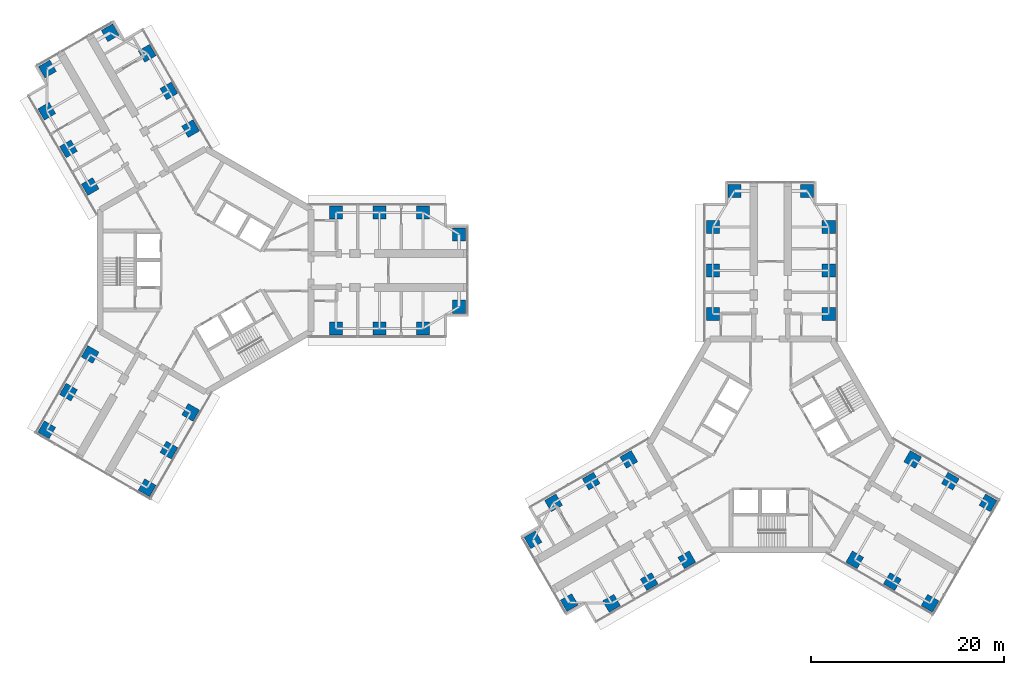
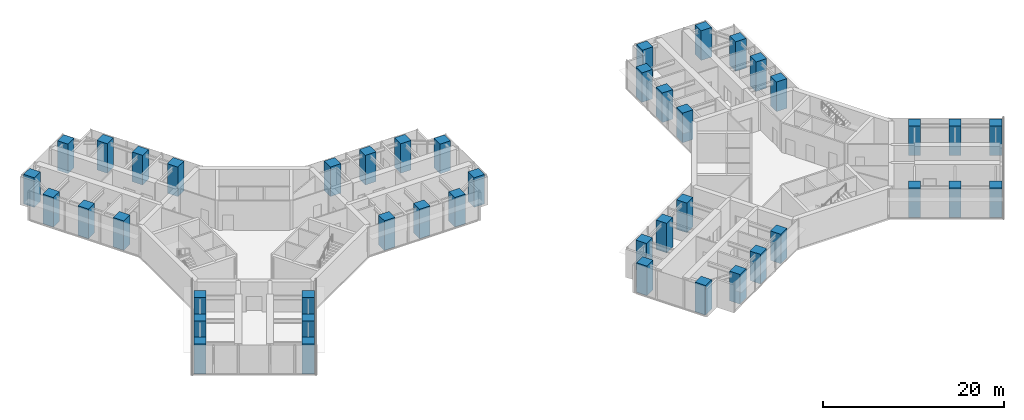
# One storey, part 1 of 21: 44 columns.
"""IFC4 building model written with IfcOpenShell, lengths in metres."""

from ifc_helpers import new_model, si_unit, direction, frame, origin, origin_2d, place, context, subcontext, project, spatial, rectangle, extrude, material, material_profile, profile_set, type_object, element, save


model = new_model("IFC4")

# Units and contexts
model_context = context("Model", 3, precision=1e-05, world=origin(), true_north=direction((0.0, 1.0)))
body_context = subcontext(model_context, "Body", "Model", "MODEL_VIEW")
ifc_project = project(units=[si_unit("LENGTHUNIT", "METRE"), si_unit("AREAUNIT", "SQUARE_METRE"), si_unit("VOLUMEUNIT", "CUBIC_METRE"), si_unit("PLANEANGLEUNIT", "RADIAN"), si_unit("MASSUNIT", "GRAM", prefix="KILO")], contexts=[model_context])

# Site, building, storey
site_placement = place(None, origin())
site = spatial("IfcSite", under=ifc_project, at=site_placement, CompositionType="ELEMENT")
building_placement = place(site_placement, origin())
building = spatial("IfcBuilding", under=site, at=building_placement, Name="Upepo Twin Towers", CompositionType="ELEMENT")
storey_placement = place(building_placement, frame((0.0, 0.0, 113.5)))
storey = spatial("IfcBuildingStorey", under=building, at=storey_placement, Name="L27", CompositionType="ELEMENT", Elevation=113.5)

# Columns
ifc_material = material(Name="Concrete C60/75", Category="concrete")
ifc_material_profile = material_profile(ifc_material, rectangle(XDim=1.35009765625, YDim=1.35009765625, at=origin_2d()), Name="RC 1350x1350")
ifc_profile_set = profile_set([ifc_material_profile], Name="Concrete C60/75")
column_type = type_object("IfcColumnType", Name="Tower column RC 1350x1350", PredefinedType="COLUMN", material=ifc_profile_set)
for number, where, z_axis, x_axis, name in (
    (1, (13.5, 6.0, 0.0), (0.0, 0.0, 1.0), (1.0, 0.0, 0.0), "T1 column AL135"),
    (2, (13.5, -6.0, 0.0), (0.0, 0.0, 1.0), (1.0, 0.0, 0.0), "T1 column AR135"),
    (3, (18.0, 6.0, 0.0), (0.0, 0.0, 1.0), (1.0, 0.0, 0.0), "T1 column AL180"),
    (4, (18.0, -6.0, 0.0), (0.0, 0.0, 1.0), (1.0, 0.0, 0.0), "T1 column AR180"),
    (5, (22.5, 6.0, 0.0), (0.0, 0.0, 1.0), (1.0, 0.0, 0.0), "T1 column AL225"),
    (6, (22.5, -6.0, 0.0), (0.0, 0.0, 1.0), (1.0, 0.0, 0.0), "T1 column AR225"),
    (7, (26.25, 3.75, 0.0), (0.0, 0.0, 1.0), (1.0, 0.0, 0.0), "T1 column ALN"),
    (8, (26.25, -3.75, 0.0), (0.0, 0.0, 1.0), (1.0, 0.0, 0.0), "T1 column ARN"),
    (9, (-11.946044921875, 8.69140625, 0.0), (0.0, 0.0, 1.0), (0.866025403784, 0.5, 0.0), "T1 column BL135"),
    (10, (-1.553955078125, 14.69140625, 0.0), (0.0, 0.0, 1.0), (0.866025403784, 0.5, 0.0), "T1 column BR135"),
    (11, (-14.196044921875, 12.58837890625, 0.0), (0.0, 0.0, 1.0), (0.866025403784, 0.5, 0.0), "T1 column BL180"),
    (12, (-3.803955078125, 18.58837890625, 0.0), (0.0, 0.0, 1.0), (0.866025403784, 0.5, 0.0), "T1 column BR180"),
    (13, (-16.446044921875, 16.485595703125, 0.0), (0.0, 0.0, 1.0), (0.866025403784, 0.5, 0.0), "T1 column BL225"),
    (14, (-6.053955078125, 22.485595703125, 0.0), (0.0, 0.0, 1.0), (0.866025403784, 0.5, 0.0), "T1 column BR225"),
    (15, (-16.37255859375, 20.858154296875, 0.0), (0.0, 0.0, 1.0), (0.866025403784, 0.5, 0.0), "T1 column BLN"),
    (16, (-9.87744140625, 24.608154296875, 0.0), (0.0, 0.0, 1.0), (0.866025403784, 0.5, 0.0), "T1 column BRN"),
    (17, (-1.553955078125, -14.69140625, 0.0), (0.0, 0.0, 1.0), (0.5, 0.866025403784, 0.0), "T1 column CL135"),
    (18, (-11.946044921875, -8.69140625, 0.0), (0.0, 0.0, 1.0), (0.5, 0.866025403784, 0.0), "T1 column CR135"),
    (19, (-3.803955078125, -18.58837890625, 0.0), (0.0, 0.0, 1.0), (0.5, 0.866025403784, 0.0), "T1 column CL180"),
    (20, (-14.196044921875, -12.58837890625, 0.0), (0.0, 0.0, 1.0), (0.5, 0.866025403784, 0.0), "T1 column CR180"),
    (21, (-6.053955078125, -22.485595703125, 0.0), (0.0, 0.0, 1.0), (0.5, 0.866025403784, 0.0), "T1 column CL225"),
    (22, (-16.446044921875, -16.485595703125, 0.0), (0.0, 0.0, 1.0), (0.5, 0.866025403784, 0.0), "T1 column CR225"),
    (23, (52.5, -4.5, 0.0), (0.0, 0.0, 1.0), (1.0, 0.0, 0.0), "T2 column AL135"),
    (24, (64.5, -4.5, 0.0), (0.0, 0.0, 1.0), (1.0, 0.0, 0.0), "T2 column AR135"),
    (25, (52.5, 0.0, 0.0), (0.0, 0.0, 1.0), (1.0, 0.0, 0.0), "T2 column AL180"),
    (26, (64.5, 0.0, 0.0), (0.0, 0.0, 1.0), (1.0, 0.0, 0.0), "T2 column AR180"),
    (27, (52.5, 4.5, 0.0), (0.0, 0.0, 1.0), (1.0, 0.0, 0.0), "T2 column AL225"),
    (28, (64.5, 4.5, 0.0), (0.0, 0.0, 1.0), (1.0, 0.0, 0.0), "T2 column AR225"),
    (29, (54.75, 8.25, 0.0), (0.0, 0.0, 1.0), (1.0, 0.0, 0.0), "T2 column ALN"),
    (30, (62.25, 8.25, 0.0), (0.0, 0.0, 1.0), (1.0, 0.0, 0.0), "T2 column ARN"),
    (31, (49.80859375, -29.946044921875, 0.0), (0.0, 0.0, 1.0), (0.866025403784, 0.5, 0.0), "T2 column BL135"),
    (32, (43.80859375, -19.553955078125, 0.0), (0.0, 0.0, 1.0), (0.866025403784, 0.5, 0.0), "T2 column BR135"),
    (33, (45.91162109375, -32.196044921875, 0.0), (0.0, 0.0, 1.0), (0.866025403784, 0.5, 0.0), "T2 column BL180"),
    (34, (39.91162109375, -21.803955078125, 0.0), (0.0, 0.0, 1.0), (0.866025403784, 0.5, 0.0), "T2 column BR180"),
    (35, (42.014404296875, -34.446044921875, 0.0), (0.0, 0.0, 1.0), (0.866025403784, 0.5, 0.0), "T2 column BL225"),
    (36, (36.014404296875, -24.053955078125, 0.0), (0.0, 0.0, 1.0), (0.866025403784, 0.5, 0.0), "T2 column BR225"),
    (37, (37.641845703125, -34.37255859375, 0.0), (0.0, 0.0, 1.0), (0.866025403784, 0.5, 0.0), "T2 column BLN"),
    (38, (33.891845703125, -27.87744140625, 0.0), (0.0, 0.0, 1.0), (0.866025403784, 0.5, 0.0), "T2 column BRN"),
    (39, (73.19140625, -19.553955078125, 0.0), (0.0, 0.0, 1.0), (0.5, 0.866025403784, 0.0), "T2 column CL135"),
    (40, (67.19140625, -29.946044921875, 0.0), (0.0, 0.0, 1.0), (0.5, 0.866025403784, 0.0), "T2 column CR135"),
    (41, (77.08837890625, -21.803955078125, 0.0), (0.0, 0.0, 1.0), (0.5, 0.866025403784, 0.0), "T2 column CL180"),
    (42, (71.08837890625, -32.196044921875, 0.0), (0.0, 0.0, 1.0), (0.5, 0.866025403784, 0.0), "T2 column CR180"),
    (43, (80.985595703125, -24.053955078125, 0.0), (0.0, 0.0, 1.0), (0.5, 0.866025403784, 0.0), "T2 column CL225"),
    (44, (74.985595703125, -34.446044921875, 0.0), (0.0, 0.0, 1.0), (0.5, 0.866025403784, 0.0), "T2 column CR225"),
):
    element("IfcColumn", number, at=place(storey_placement, frame(where, z_axis=z_axis, x_axis=x_axis)), inside=storey, type_object=column_type, Name=name, PredefinedType="COLUMN", context=body_context, shape_type="SweptSolid", body=[
        extrude(rectangle(XDim=1.35009765625, YDim=1.35009765625, at=origin_2d()), origin(), (0.0, 0.0, 1.0), 4.0),
    ])

save(model, "model.ifc")
